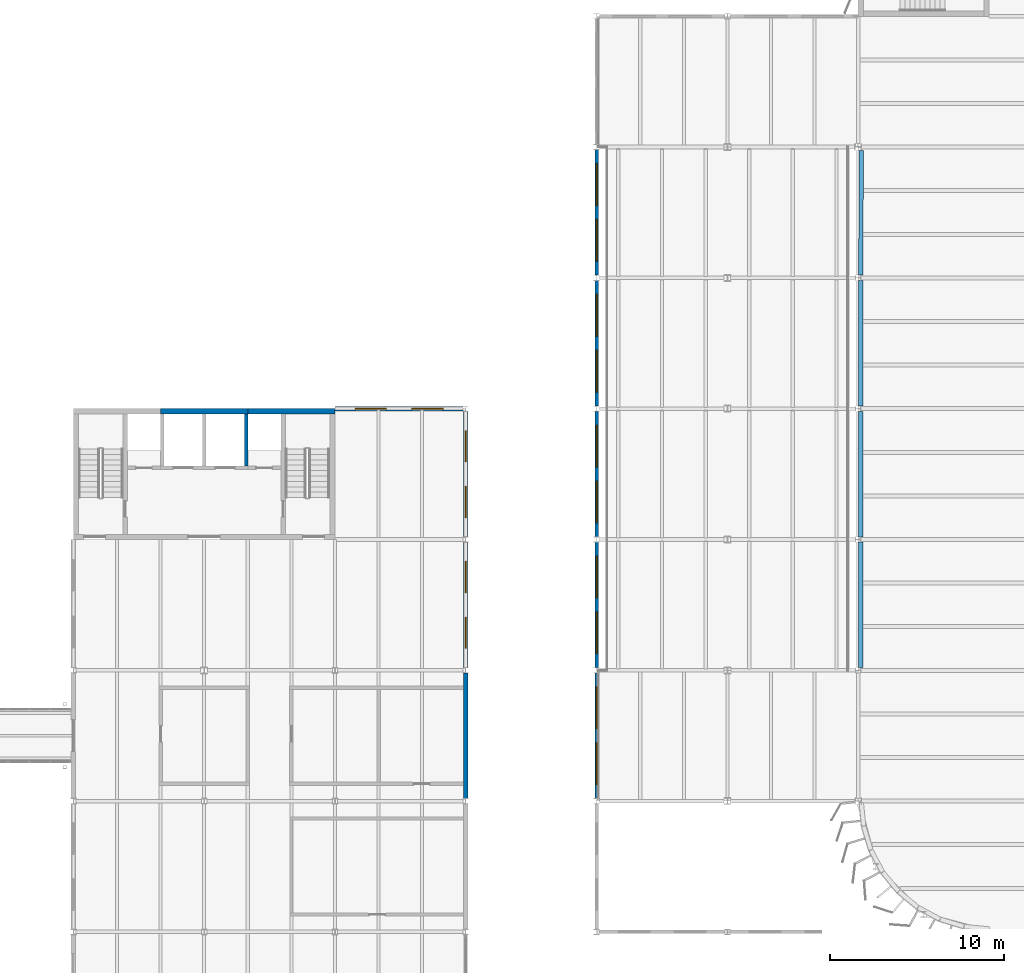
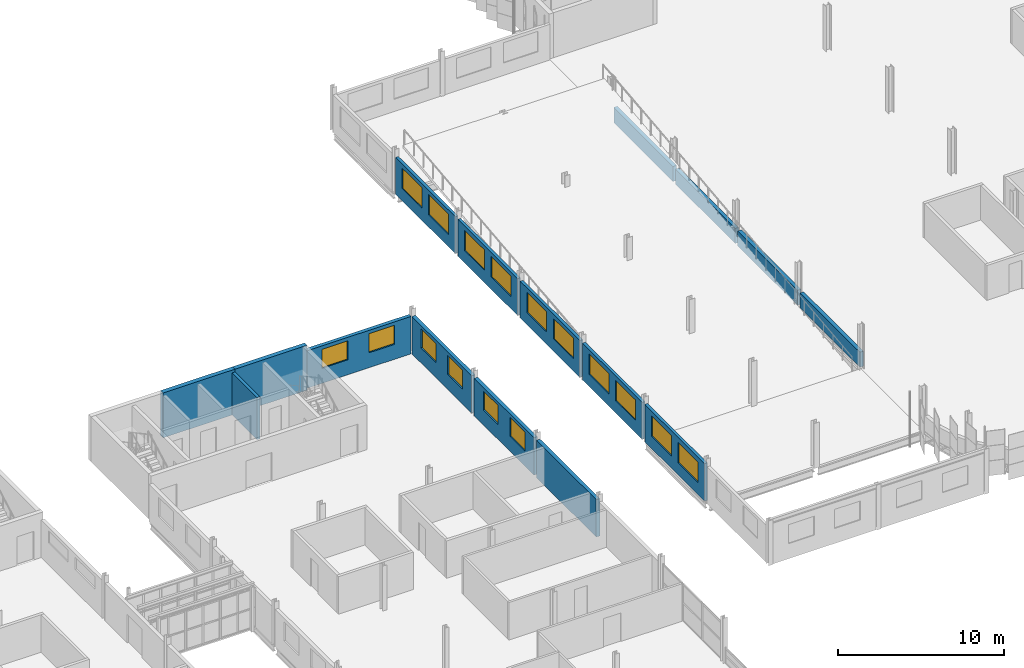
# One storey, part 74 of 214: 16 walls, 16 windows, 16 openings.
"""IFC4 building model written with IfcOpenShell, lengths in metres."""

import ifcopenshell
import ifcopenshell.guid

model = None  # the IFC model being written
_history = None  # IfcOwnerHistory: only IFC2X3 demands one
_inside = {}  # id of a spatial element -> (the spatial element, [elements in it])
_under = {}  # id of a project, library or spatial element -> (it, [spatial elements below it])
_declared = {}  # id of a project -> (the project, [libraries it declares])
_typed = {}  # id of a type object -> (the type object, [elements of that type])
_made_of = {}  # id of a material, layer set ... -> (it, [elements and type objects made of it])


def new_model(schema):
    """Start an empty IFC model of exactly this schema.

    Asked for "IFC4X3", IfcOpenShell would pick the latest addendum, in which some entities
    have other attributes; the version numbers below select the first issue.
    IFC2X3 requires an IfcOwnerHistory on every rooted entity: one is made here for all.
    """
    global model, _history
    if schema == "IFC4X3":
        model = ifcopenshell.file(schema_version=(4, 3, 0, 0))
    else:
        model = ifcopenshell.file(schema=schema)
    _inside.clear()
    _under.clear()
    _declared.clear()
    _typed.clear()
    _made_of.clear()
    _history = None
    if model.schema == "IFC2X3":
        org = make("IfcOrganization", Name="unknown")
        user = make(
            "IfcPersonAndOrganization",
            ThePerson=make("IfcPerson", FamilyName="unknown"),
            TheOrganization=org,
        )
        app = make(
            "IfcApplication",
            ApplicationDeveloper=org,
            Version="unknown",
            ApplicationFullName="unknown",
            ApplicationIdentifier="unknown",
        )
        _history = make(
            "IfcOwnerHistory",
            OwningUser=user,
            OwningApplication=app,
            ChangeAction="ADDED",
            CreationDate=0,
        )
    return model


def make(cls, **values):
    """One entity of the class cls with the attributes given. An attribute that is None is left unset."""
    return model.create_entity(
        cls, **{name: value for name, value in values.items() if value is not None}
    )


def rooted(cls, **values):
    """An entity with a GlobalId (a new one), such as an element, a storey or a relation."""
    return make(cls, GlobalId=ifcopenshell.guid.new(), OwnerHistory=_history, **values)


def si_unit(unit_type, name, prefix=None):
    """IfcSIUnit, for example si_unit("LENGTHUNIT", "METRE", prefix="MILLI")."""
    return make("IfcSIUnit", UnitType=unit_type, Prefix=prefix, Name=name)


def assignment(units):
    """IfcUnitAssignment: the units of a project."""
    return None if units is None else make("IfcUnitAssignment", Units=units)


def point(xyz):
    """IfcCartesianPoint."""
    return None if xyz is None else make("IfcCartesianPoint", Coordinates=xyz)


def direction(xyz):
    """IfcDirection."""
    return None if xyz is None else make("IfcDirection", DirectionRatios=xyz)


def frame(location, z_axis=None, x_axis=None):
    """IfcAxis2Placement3D, a coordinate frame: its origin and axes. An axis left out is left unset."""
    return make(
        "IfcAxis2Placement3D",
        Location=point(location),
        Axis=direction(z_axis),
        RefDirection=direction(x_axis),
    )


def frame_2d(location, x_axis=None):
    """IfcAxis2Placement2D, a coordinate frame in the plane: its origin and x axis."""
    return make(
        "IfcAxis2Placement2D", Location=point(location), RefDirection=direction(x_axis)
    )


def origin():
    """The frame at (0, 0, 0) with its axes left unset."""
    return frame((0.0, 0.0, 0.0))


def place(relative_to, where):
    """IfcLocalPlacement: puts the frame where relative to a parent placement (None: the world)."""
    return make(
        "IfcLocalPlacement", PlacementRelTo=relative_to, RelativePlacement=where
    )


def context(
    kind, dimensions, precision=None, world=None, true_north=None, identifier=None
):
    """IfcGeometricRepresentationContext, for example the 3D "Model" context."""
    return make(
        "IfcGeometricRepresentationContext",
        ContextIdentifier=identifier,
        ContextType=kind,
        CoordinateSpaceDimension=dimensions,
        Precision=precision,
        WorldCoordinateSystem=world,
        TrueNorth=true_north,
    )


def subcontext(parent, identifier, kind, view, scale=None):
    """IfcGeometricRepresentationSubContext, for example "Body" below "Model"."""
    return make(
        "IfcGeometricRepresentationSubContext",
        ContextIdentifier=identifier,
        ContextType=kind,
        ParentContext=parent,
        TargetScale=scale,
        TargetView=view,
    )


def project(units=None, contexts=None):
    """IfcProject with its units and contexts."""
    return rooted(
        "IfcProject",
        Name="project",
        RepresentationContexts=contexts,
        UnitsInContext=assignment(units),
    )


def spatial(cls, under=None, at=None, **own):
    """A site, building, storey or space (cls), placed at a placement, below another one or the project."""
    s = rooted(cls, ObjectPlacement=at, **own)
    if under is not None:
        _under.setdefault(under.id(), (under, []))[1].append(s)
    return s


def profile(cls, at=None, kind="AREA", **sizes):
    """A parametric profile (cls). Its sizes go by their IFC names, for example OverallWidth=200.0."""
    return make(cls, ProfileType=kind, Position=at, **sizes)


def rectangle(**sizes):
    """IfcRectangleProfileDef."""
    return profile("IfcRectangleProfileDef", **sizes)


def extrude(swept, where, along, depth):
    """IfcExtrudedAreaSolid: the profile swept, set in the frame where, extruded along a direction by depth."""
    return make(
        "IfcExtrudedAreaSolid",
        SweptArea=swept,
        Position=where,
        ExtrudedDirection=direction(along),
        Depth=depth,
    )


def shape(context_of_items, identifier, shape_type, items):
    """IfcShapeRepresentation: the items that make up one representation, for example the "Body"."""
    return make(
        "IfcShapeRepresentation",
        ContextOfItems=context_of_items,
        RepresentationIdentifier=identifier,
        RepresentationType=shape_type,
        Items=items,
    )


def material(Name=None, Category=None):
    """IfcMaterial."""
    return make("IfcMaterial", Name=Name, Category=Category)


def layer(
    of_material, thickness, ventilated=None, Name=None, Category=None, Priority=None
):
    """IfcMaterialLayer: one layer of a wall or slab, of a material (None: an air gap)."""
    return make(
        "IfcMaterialLayer",
        Material=of_material,
        LayerThickness=thickness,
        IsVentilated=ventilated,
        Name=Name,
        Category=Category,
        Priority=Priority,
    )


def layer_set(layers, Name=None):
    """IfcMaterialLayerSet."""
    return make("IfcMaterialLayerSet", MaterialLayers=layers, LayerSetName=Name)


def made_of(thing, what):
    """Note that an element or type object is made of a material, layer set ...; save() writes the relation."""
    if what is not None:
        _made_of.setdefault(what.id(), (what, []))[1].append(thing)
    return thing


def type_object(cls, material=None, **own):
    """A type object (cls), such as IfcWallType, which elements share."""
    return made_of(rooted(cls, **own), material)


def element(
    cls,
    number,
    at=None,
    inside=None,
    cuts=None,
    type_object=None,
    material=None,
    context=None,
    identifier="Body",
    shape_type=None,
    held_by="IfcProductDefinitionShape",
    body=None,
    shapes=None,
    **own,
):
    """One element of the class cls, such as IfcWall. Its Tag is "e" and its number.

    at: its placement. inside: the storey or other place that contains it. cuts: it is an
    opening in that element (IfcRelVoidsElement). A single representation is given by context,
    identifier, shape_type and body (its items); several are given by shapes. held_by: the class
    of the entity that holds the representations. save() writes the other relations.
    """
    e = rooted(cls, Tag="e%d" % number, ObjectPlacement=at, **own)
    if body is not None:
        shapes = [shape(context, identifier, shape_type, body)]
    if shapes is not None:
        e.Representation = make(held_by, Representations=shapes)
    if inside is not None:
        _inside.setdefault(inside.id(), (inside, []))[1].append(e)
    if cuts is not None:
        rooted(
            "IfcRelVoidsElement", RelatingBuildingElement=cuts, RelatedOpeningElement=e
        )
    if type_object is not None:
        _typed.setdefault(type_object.id(), (type_object, []))[1].append(e)
    return made_of(e, material)


def fill(opening, filler):
    """IfcRelFillsElement: the door or window that sits in an opening."""
    return rooted(
        "IfcRelFillsElement",
        RelatingOpeningElement=opening,
        RelatedBuildingElement=filler,
    )


def aggregate(whole, parts):
    """IfcRelAggregates: a whole, such as a stair, and the parts it consists of."""
    return rooted("IfcRelAggregates", RelatingObject=whole, RelatedObjects=parts)


def save(model, path):
    """Write the relations noted so far, then the file.

    IfcRelAggregates (storeys below a building ...), IfcRelContainedInSpatialStructure (elements
    in a storey), IfcRelDefinesByType, IfcRelAssociatesMaterial and IfcRelDeclares: one each for
    every whole, place, type object, material and project.
    """
    for whole, parts in _under.values():
        aggregate(whole, parts)
    for where, things in _inside.values():
        rooted(
            "IfcRelContainedInSpatialStructure",
            RelatedElements=things,
            RelatingStructure=where,
        )
    for kind, things in _typed.values():
        rooted("IfcRelDefinesByType", RelatedObjects=things, RelatingType=kind)
    for what, things in _made_of.values():
        rooted("IfcRelAssociatesMaterial", RelatedObjects=things, RelatingMaterial=what)
    for by, libraries in _declared.values():
        rooted("IfcRelDeclares", RelatingContext=by, RelatedDefinitions=libraries)
    model.write(path)


model = new_model("IFC4")

# Units and contexts
model_context = context("Model", 3, precision=1e-05, world=origin(), true_north=direction((0.0, 1.0)))
body_context = subcontext(model_context, "Body", "Model", "MODEL_VIEW")
ifc_project = project(units=[si_unit("LENGTHUNIT", "METRE"), si_unit("AREAUNIT", "SQUARE_METRE"), si_unit("VOLUMEUNIT", "CUBIC_METRE"), si_unit("PLANEANGLEUNIT", "RADIAN"), si_unit("MASSUNIT", "GRAM", prefix="KILO")], contexts=[model_context])

# Site, building, storey
site_placement = place(None, origin())
site = spatial("IfcSite", under=ifc_project, at=site_placement, CompositionType="ELEMENT")
building_placement = place(site_placement, origin())
building = spatial("IfcBuilding", under=site, at=building_placement, Name="Parallax Yard Mobility Hub", CompositionType="ELEMENT")
storey_placement = place(building_placement, frame((0.0, 0.0, 3.300048828125)))
storey = spatial("IfcBuildingStorey", under=building, at=storey_placement, Name="L01", CompositionType="ELEMENT", Elevation=3.300048828125)

# Walls
ifc_material_1 = material(Name="Concrete fc' 35 MPa", Category="concrete")
ifc_layer_1 = layer(ifc_material_1, 0.300048828125)
ifc_layer_set_1 = layer_set([ifc_layer_1], Name="Concrete fc' 35 MPa core wall 300")
wall_type_1 = type_object("IfcWallType", Name="Concrete fc' 35 MPa core wall 300", PredefinedType="SHEAR", material=ifc_layer_set_1)
for number, where, z_axis, x_axis, name in (
    (1, (155.0, 52.35009765625, 0.0), (0.0, 0.0, 1.0), (1.0, 0.0, 0.0), "Core C5 back wall part 2 level L01"),
    (2, (160.0, 52.35009765625, 0.0), (0.0, 0.0, 1.0), (1.0, 0.0, 0.0), "Core C5 back wall part 3 level L01"),
):
    element("IfcWall", number, at=place(storey_placement, frame(where, z_axis=z_axis, x_axis=x_axis)), inside=storey, type_object=wall_type_1, Name=name, PredefinedType="SHEAR", context=body_context, shape_type="SweptSolid", body=[
        extrude(rectangle(XDim=5.0, YDim=0.300048828125, at=frame_2d((2.5, 0.0))), origin(), (0.0, 0.0, 1.0), 3.300048828125),
    ])
ifc_layer_2 = layer(ifc_material_1, 0.199951171875)
ifc_layer_set_2 = layer_set([ifc_layer_2], Name="Concrete fc' 35 MPa internal core wall 200")
wall_type_2 = type_object("IfcWallType", Name="Concrete fc' 35 MPa internal core wall 200", PredefinedType="STANDARD", material=ifc_layer_set_2)
wall_1_placement = place(storey_placement, frame((159.89990234375, 49.199951171875, 0.0), z_axis=(0.0, 0.0, 1.0), x_axis=(0.0, 1.0, 0.0)))
element("IfcWall", 3, at=wall_1_placement, inside=storey, type_object=wall_type_2, Name="Core C5 lift wall 3 part 3 level L01", PredefinedType="STANDARD", context=body_context, shape_type="SweptSolid", body=[
    extrude(rectangle(XDim=3.0, YDim=0.199951171875, at=frame_2d((1.5, 0.0))), origin(), (0.0, 0.0, 1.0), 3.099853515625),
])
ifc_layer_3 = layer(ifc_material_1, 0.25)
ifc_layer_set_3 = layer_set([ifc_layer_3], Name="Deck-edge barrier wall, Concrete fc' 35 MPa precast, 250")
wall_type_3 = type_object("IfcWallType", Name="Deck-edge barrier wall, Concrete fc' 35 MPa precast, 250", PredefinedType="SOLIDWALL", material=ifc_layer_set_3)
wall_2_placement = place(storey_placement, frame((195.17333984375, 67.314453125, 0.0), z_axis=(0.0, 0.0, 1.0), x_axis=(-0.003612914829, -0.999993473402, 0.0)))
element("IfcWall", 4, at=wall_2_placement, inside=storey, type_object=wall_type_3, Name="Deck-edge barrier wall bay 25 level L01", PredefinedType="SOLIDWALL", context=body_context, shape_type="SweptSolid", body=[
    extrude(rectangle(XDim=7.162841796875, YDim=0.25, at=frame_2d((3.58154296875, 0.0))), origin(), (0.0, 0.0, 1.0), 1.099853515625),
])
for number, where, z_axis, x_axis, name in (
    (5, (195.1474609375, 59.848388671875, 0.0), (0.0, 0.0, 1.0), (0.0, -1.0, 0.0), "Deck-edge barrier wall bay 26 level L01"),
    (6, (195.1474609375, 52.348388671875, 0.0), (0.0, 0.0, 1.0), (0.0, -1.0, 0.0), "Deck-edge barrier wall bay 27 level L01"),
    (7, (195.1474609375, 44.848388671875, 0.0), (0.0, 0.0, 1.0), (0.0, -1.0, 0.0), "Deck-edge barrier wall bay 28 level L01"),
):
    element("IfcWall", number, at=place(storey_placement, frame(where, z_axis=z_axis, x_axis=x_axis)), inside=storey, type_object=wall_type_3, Name=name, PredefinedType="SOLIDWALL", context=body_context, shape_type="SweptSolid", body=[
        extrude(rectangle(XDim=7.19677734375, YDim=0.25, at=frame_2d((3.598388671875, 0.0))), origin(), (0.0, 0.0, 1.0), 1.099853515625),
    ])
ifc_layer_4 = layer(ifc_material_1, 0.25)
ifc_layer_set_4 = layer_set([ifc_layer_4], Name="Exterior wall, Concrete fc' 35 MPa precast, 250 with insulation lining")
wall_type_4 = type_object("IfcWallType", Name="Exterior wall, Concrete fc' 35 MPa precast, 250 with insulation lining", PredefinedType="SOLIDWALL", material=ifc_layer_set_4)
wall_3_placement = place(storey_placement, frame((172.5, 30.153564453125, 0.0), z_axis=(0.0, 0.0, 1.0), x_axis=(0.0, 1.0, 0.0)))
element("IfcWall", 8, at=wall_3_placement, inside=storey, type_object=wall_type_4, Name="Bicycle and shared-mobility hall east wall bay 4 level L01", PredefinedType="SOLIDWALL", context=body_context, shape_type="SweptSolid", body=[
    extrude(rectangle(XDim=7.19287109375, YDim=0.25, at=frame_2d((3.596435546875, 0.0))), origin(), (0.0, 0.0, 1.0), 2.7509765625),
])

# Wall, openings, windows
wall_4_placement = place(storey_placement, frame((172.5, 37.653564453125, 0.0), z_axis=(0.0, 0.0, 1.0), x_axis=(0.0, 1.0, 0.0)))
wall_4 = element("IfcWall", 9, at=wall_4_placement, inside=storey, type_object=wall_type_4, Name="Bicycle and shared-mobility hall east wall bay 5 level L01", PredefinedType="SOLIDWALL", context=body_context, shape_type="SweptSolid", body=[
    extrude(rectangle(XDim=7.19287109375, YDim=0.25, at=frame_2d((3.596435546875, 0.0))), origin(), (0.0, 0.0, 1.0), 2.7509765625),
])
opening_1_placement = place(wall_4_placement, frame((1.09765625, 0.0, 1.10009765625)))
opening_1 = element("IfcOpeningElement", 10, at=opening_1_placement, cuts=wall_4, Name="Opening LV2", PredefinedType="OPENING", context=body_context, shape_type="SweptSolid", body=[
    extrude(rectangle(XDim=1.800048828125, YDim=1.39990234375, at=frame_2d((0.89990234375, 0.699951171875))), frame((0.0, 0.135009765625, 0.0), z_axis=(0.0, -1.0, 0.0), x_axis=(1.0, 0.0, 0.0)), (0.0, 0.0, 1.0), 0.27001953125),
])
opening_2_placement = place(wall_4_placement, frame((4.29541015625, 0.0, 1.10009765625)))
opening_2 = element("IfcOpeningElement", 11, at=opening_2_placement, cuts=wall_4, Name="Opening LV2", PredefinedType="OPENING", context=body_context, shape_type="SweptSolid", body=[
    extrude(rectangle(XDim=1.800048828125, YDim=1.39990234375, at=frame_2d((0.89990234375, 0.699951171875))), frame((0.0, 0.135009765625, 0.0), z_axis=(0.0, -1.0, 0.0), x_axis=(1.0, 0.0, 0.0)), (0.0, 0.0, 1.0), 0.27001953125),
])
ifc_material_2 = material(Name="Extruded aluminium storm louvre blades in a powder-coated frame", Category="aluminium")
window_type_1 = type_object("IfcWindowType", Name="Screen louvre 1800 x 1400", PartitioningType="SINGLE_PANEL", PredefinedType="WINDOW", material=ifc_material_2)
window_1_placement = place(opening_1_placement, origin())
window_1 = element("IfcWindow", 12, at=window_1_placement, inside=storey, type_object=window_type_1, Name="LV2 louvre level L01", OverallHeight=1.39990234375, OverallWidth=1.800048828125, PartitioningType="SINGLE_PANEL", PredefinedType="WINDOW", context=body_context, shape_type="SweptSolid", body=[
    extrude(rectangle(XDim=1.800048828125, YDim=1.39990234375, at=frame_2d((0.89990234375, 0.699951171875))), frame((0.0, 0.030029296875, 0.0), z_axis=(0.0, -1.0, 0.0), x_axis=(1.0, 0.0, 0.0)), (0.0, 0.0, 1.0), 0.06005859375),
])
fill(opening_1, window_1)
window_2_placement = place(opening_2_placement, origin())
window_2 = element("IfcWindow", 13, at=window_2_placement, inside=storey, type_object=window_type_1, Name="LV2 louvre level L01", OverallHeight=1.39990234375, OverallWidth=1.800048828125, PartitioningType="SINGLE_PANEL", PredefinedType="WINDOW", context=body_context, shape_type="SweptSolid", body=[
    extrude(rectangle(XDim=1.800048828125, YDim=1.39990234375, at=frame_2d((0.89990234375, 0.699951171875))), frame((0.0, 0.030029296875, 0.0), z_axis=(0.0, -1.0, 0.0), x_axis=(1.0, 0.0, 0.0)), (0.0, 0.0, 1.0), 0.06005859375),
])
fill(opening_2, window_2)

wall_5_placement = place(storey_placement, frame((172.5, 45.153564453125, 0.0), z_axis=(0.0, 0.0, 1.0), x_axis=(0.0, 1.0, 0.0)))
wall_5 = element("IfcWall", 14, at=wall_5_placement, inside=storey, type_object=wall_type_4, Name="Bicycle and shared-mobility hall east wall bay 6 level L01", PredefinedType="SOLIDWALL", context=body_context, shape_type="SweptSolid", body=[
    extrude(rectangle(XDim=7.19287109375, YDim=0.25, at=frame_2d((3.596435546875, 0.0))), origin(), (0.0, 0.0, 1.0), 2.7509765625),
])
opening_3_placement = place(wall_5_placement, frame((1.09765625, 0.0, 1.10009765625)))
opening_3 = element("IfcOpeningElement", 15, at=opening_3_placement, cuts=wall_5, Name="Opening LV2", PredefinedType="OPENING", context=body_context, shape_type="SweptSolid", body=[
    extrude(rectangle(XDim=1.800048828125, YDim=1.39990234375, at=frame_2d((0.89990234375, 0.699951171875))), frame((0.0, 0.135009765625, 0.0), z_axis=(0.0, -1.0, 0.0), x_axis=(1.0, 0.0, 0.0)), (0.0, 0.0, 1.0), 0.27001953125),
])
opening_4_placement = place(wall_5_placement, frame((4.29541015625, 0.0, 1.10009765625)))
opening_4 = element("IfcOpeningElement", 16, at=opening_4_placement, cuts=wall_5, Name="Opening LV2", PredefinedType="OPENING", context=body_context, shape_type="SweptSolid", body=[
    extrude(rectangle(XDim=1.800048828125, YDim=1.39990234375, at=frame_2d((0.89990234375, 0.699951171875))), frame((0.0, 0.135009765625, 0.0), z_axis=(0.0, -1.0, 0.0), x_axis=(1.0, 0.0, 0.0)), (0.0, 0.0, 1.0), 0.27001953125),
])
window_3_placement = place(opening_3_placement, origin())
window_3 = element("IfcWindow", 17, at=window_3_placement, inside=storey, type_object=window_type_1, Name="LV2 louvre level L01", OverallHeight=1.39990234375, OverallWidth=1.800048828125, PartitioningType="SINGLE_PANEL", PredefinedType="WINDOW", context=body_context, shape_type="SweptSolid", body=[
    extrude(rectangle(XDim=1.800048828125, YDim=1.39990234375, at=frame_2d((0.89990234375, 0.699951171875))), frame((0.0, 0.030029296875, 0.0), z_axis=(0.0, -1.0, 0.0), x_axis=(1.0, 0.0, 0.0)), (0.0, 0.0, 1.0), 0.06005859375),
])
fill(opening_3, window_3)
window_4_placement = place(opening_4_placement, origin())
window_4 = element("IfcWindow", 18, at=window_4_placement, inside=storey, type_object=window_type_1, Name="LV2 louvre level L01", OverallHeight=1.39990234375, OverallWidth=1.800048828125, PartitioningType="SINGLE_PANEL", PredefinedType="WINDOW", context=body_context, shape_type="SweptSolid", body=[
    extrude(rectangle(XDim=1.800048828125, YDim=1.39990234375, at=frame_2d((0.89990234375, 0.699951171875))), frame((0.0, 0.030029296875, 0.0), z_axis=(0.0, -1.0, 0.0), x_axis=(1.0, 0.0, 0.0)), (0.0, 0.0, 1.0), 0.06005859375),
])
fill(opening_4, window_4)

wall_6_placement = place(storey_placement, frame((165.0, 52.5, 0.0), z_axis=(0.0, 0.0, 1.0), x_axis=(1.0, 0.0, 0.0)))
wall_6 = element("IfcWall", 19, at=wall_6_placement, inside=storey, type_object=wall_type_4, Name="Bicycle and shared-mobility hall north wall bay 1 level L01", PredefinedType="SOLIDWALL", context=body_context, shape_type="SweptSolid", body=[
    extrude(rectangle(XDim=7.346435546875, YDim=0.25, at=frame_2d((3.67333984375, 0.0))), origin(), (0.0, 0.0, 1.0), 2.7509765625),
])
opening_5_placement = place(wall_6_placement, frame((1.148681640625, 0.0, 1.10009765625)))
opening_5 = element("IfcOpeningElement", 20, at=opening_5_placement, cuts=wall_6, Name="Opening LV2", PredefinedType="OPENING", context=body_context, shape_type="SweptSolid", body=[
    extrude(rectangle(XDim=1.800048828125, YDim=1.39990234375, at=frame_2d((0.89990234375, 0.699951171875))), frame((0.0, 0.135009765625, 0.0), z_axis=(0.0, -1.0, 0.0), x_axis=(1.0, 0.0, 0.0)), (0.0, 0.0, 1.0), 0.27001953125),
])
opening_6_placement = place(wall_6_placement, frame((4.397705078125, 0.0, 1.10009765625)))
opening_6 = element("IfcOpeningElement", 21, at=opening_6_placement, cuts=wall_6, Name="Opening LV2", PredefinedType="OPENING", context=body_context, shape_type="SweptSolid", body=[
    extrude(rectangle(XDim=1.800048828125, YDim=1.39990234375, at=frame_2d((0.89990234375, 0.699951171875))), frame((0.0, 0.135009765625, 0.0), z_axis=(0.0, -1.0, 0.0), x_axis=(1.0, 0.0, 0.0)), (0.0, 0.0, 1.0), 0.27001953125),
])
window_5_placement = place(opening_5_placement, origin())
window_5 = element("IfcWindow", 22, at=window_5_placement, inside=storey, type_object=window_type_1, Name="LV2 louvre level L01", OverallHeight=1.39990234375, OverallWidth=1.800048828125, PartitioningType="SINGLE_PANEL", PredefinedType="WINDOW", context=body_context, shape_type="SweptSolid", body=[
    extrude(rectangle(XDim=1.800048828125, YDim=1.39990234375, at=frame_2d((0.89990234375, 0.699951171875))), frame((0.0, 0.030029296875, 0.0), z_axis=(0.0, -1.0, 0.0), x_axis=(1.0, 0.0, 0.0)), (0.0, 0.0, 1.0), 0.06005859375),
])
fill(opening_5, window_5)
window_6_placement = place(opening_6_placement, origin())
window_6 = element("IfcWindow", 23, at=window_6_placement, inside=storey, type_object=window_type_1, Name="LV2 louvre level L01", OverallHeight=1.39990234375, OverallWidth=1.800048828125, PartitioningType="SINGLE_PANEL", PredefinedType="WINDOW", context=body_context, shape_type="SweptSolid", body=[
    extrude(rectangle(XDim=1.800048828125, YDim=1.39990234375, at=frame_2d((0.89990234375, 0.699951171875))), frame((0.0, 0.030029296875, 0.0), z_axis=(0.0, -1.0, 0.0), x_axis=(1.0, 0.0, 0.0)), (0.0, 0.0, 1.0), 0.06005859375),
])
fill(opening_6, window_6)

ifc_layer_5 = layer(ifc_material_1, 0.199951171875)
ifc_layer_set_5 = layer_set([ifc_layer_5], Name="Louvre screen wall, Concrete fc' 35 MPa precast, 200")
wall_type_5 = type_object("IfcWallType", Name="Louvre screen wall, Concrete fc' 35 MPa precast, 200", PredefinedType="SOLIDWALL", material=ifc_layer_set_5)
wall_7_placement = place(storey_placement, frame((180.0, 30.153564453125, 0.0), z_axis=(0.0, 0.0, 1.0), x_axis=(0.0, 1.0, 0.0)))
wall_7 = element("IfcWall", 24, at=wall_7_placement, inside=storey, type_object=wall_type_5, Name="Ramp house west wall bay 2 level L01", PredefinedType="SOLIDWALL", context=body_context, shape_type="SweptSolid", body=[
    extrude(rectangle(XDim=7.19287109375, YDim=0.199951171875, at=frame_2d((3.596435546875, 0.0))), origin(), (0.0, 0.0, 1.0), 2.75390625),
])
opening_7_placement = place(wall_7_placement, frame((0.797607421875, 0.0, 0.89990234375)))
opening_7 = element("IfcOpeningElement", 25, at=opening_7_placement, cuts=wall_7, Name="Opening W1", PredefinedType="OPENING", context=body_context, shape_type="SweptSolid", body=[
    extrude(rectangle(XDim=2.39990234375, YDim=1.5, at=frame_2d((1.199951171875, 0.75))), frame((0.0, 0.10986328125, 0.0), z_axis=(0.0, -1.0, 0.0), x_axis=(1.0, 0.0, 0.0)), (0.0, 0.0, 1.0), 0.219970703125),
])
opening_8_placement = place(wall_7_placement, frame((3.995361328125, 0.0, 0.89990234375)))
opening_8 = element("IfcOpeningElement", 26, at=opening_8_placement, cuts=wall_7, Name="Opening W1", PredefinedType="OPENING", context=body_context, shape_type="SweptSolid", body=[
    extrude(rectangle(XDim=2.39990234375, YDim=1.5, at=frame_2d((1.199951171875, 0.75))), frame((0.0, 0.10986328125, 0.0), z_axis=(0.0, -1.0, 0.0), x_axis=(1.0, 0.0, 0.0)), (0.0, 0.0, 1.0), 0.219970703125),
])
ifc_material_3 = material(Name="Double glazed low-E unit in thermally broken aluminium frame", Category="aluminium")
window_type_2 = type_object("IfcWindowType", Name="Window 2400 x 1500", PartitioningType="DOUBLE_PANEL_VERTICAL", PredefinedType="WINDOW", material=ifc_material_3)
window_7_placement = place(opening_7_placement, origin())
window_7 = element("IfcWindow", 27, at=window_7_placement, inside=storey, type_object=window_type_2, Name="Window W1 level L01", OverallHeight=1.5, OverallWidth=2.39990234375, PartitioningType="DOUBLE_PANEL_VERTICAL", PredefinedType="WINDOW", context=body_context, shape_type="SweptSolid", body=[
    extrude(rectangle(XDim=2.39990234375, YDim=1.5, at=frame_2d((1.199951171875, 0.75))), frame((0.0, 0.030029296875, 0.0), z_axis=(0.0, -1.0, 0.0), x_axis=(1.0, 0.0, 0.0)), (0.0, 0.0, 1.0), 0.06005859375),
])
fill(opening_7, window_7)
window_8_placement = place(opening_8_placement, origin())
window_8 = element("IfcWindow", 28, at=window_8_placement, inside=storey, type_object=window_type_2, Name="Window W1 level L01", OverallHeight=1.5, OverallWidth=2.39990234375, PartitioningType="DOUBLE_PANEL_VERTICAL", PredefinedType="WINDOW", context=body_context, shape_type="SweptSolid", body=[
    extrude(rectangle(XDim=2.39990234375, YDim=1.5, at=frame_2d((1.199951171875, 0.75))), frame((0.0, 0.030029296875, 0.0), z_axis=(0.0, -1.0, 0.0), x_axis=(1.0, 0.0, 0.0)), (0.0, 0.0, 1.0), 0.06005859375),
])
fill(opening_8, window_8)

wall_8_placement = place(storey_placement, frame((180.0, 37.653564453125, 0.0), z_axis=(0.0, 0.0, 1.0), x_axis=(0.0, 1.0, 0.0)))
wall_8 = element("IfcWall", 29, at=wall_8_placement, inside=storey, type_object=wall_type_5, Name="Ramp house west wall bay 3 level L01", PredefinedType="SOLIDWALL", context=body_context, shape_type="SweptSolid", body=[
    extrude(rectangle(XDim=7.19287109375, YDim=0.199951171875, at=frame_2d((3.596435546875, 0.0))), origin(), (0.0, 0.0, 1.0), 2.7099609375),
])
opening_9_placement = place(wall_8_placement, frame((0.797607421875, 0.0, 0.89990234375)))
opening_9 = element("IfcOpeningElement", 30, at=opening_9_placement, cuts=wall_8, Name="Opening W1", PredefinedType="OPENING", context=body_context, shape_type="SweptSolid", body=[
    extrude(rectangle(XDim=2.39990234375, YDim=1.5, at=frame_2d((1.199951171875, 0.75))), frame((0.0, 0.10986328125, 0.0), z_axis=(0.0, -1.0, 0.0), x_axis=(1.0, 0.0, 0.0)), (0.0, 0.0, 1.0), 0.219970703125),
])
opening_10_placement = place(wall_8_placement, frame((3.995361328125, 0.0, 0.89990234375)))
opening_10 = element("IfcOpeningElement", 31, at=opening_10_placement, cuts=wall_8, Name="Opening W1", PredefinedType="OPENING", context=body_context, shape_type="SweptSolid", body=[
    extrude(rectangle(XDim=2.39990234375, YDim=1.5, at=frame_2d((1.199951171875, 0.75))), frame((0.0, 0.10986328125, 0.0), z_axis=(0.0, -1.0, 0.0), x_axis=(1.0, 0.0, 0.0)), (0.0, 0.0, 1.0), 0.219970703125),
])
window_9_placement = place(opening_9_placement, origin())
window_9 = element("IfcWindow", 32, at=window_9_placement, inside=storey, type_object=window_type_2, Name="Window W1 level L01", OverallHeight=1.5, OverallWidth=2.39990234375, PartitioningType="DOUBLE_PANEL_VERTICAL", PredefinedType="WINDOW", context=body_context, shape_type="SweptSolid", body=[
    extrude(rectangle(XDim=2.39990234375, YDim=1.5, at=frame_2d((1.199951171875, 0.75))), frame((0.0, 0.030029296875, 0.0), z_axis=(0.0, -1.0, 0.0), x_axis=(1.0, 0.0, 0.0)), (0.0, 0.0, 1.0), 0.06005859375),
])
fill(opening_9, window_9)
window_10_placement = place(opening_10_placement, origin())
window_10 = element("IfcWindow", 33, at=window_10_placement, inside=storey, type_object=window_type_2, Name="Window W1 level L01", OverallHeight=1.5, OverallWidth=2.39990234375, PartitioningType="DOUBLE_PANEL_VERTICAL", PredefinedType="WINDOW", context=body_context, shape_type="SweptSolid", body=[
    extrude(rectangle(XDim=2.39990234375, YDim=1.5, at=frame_2d((1.199951171875, 0.75))), frame((0.0, 0.030029296875, 0.0), z_axis=(0.0, -1.0, 0.0), x_axis=(1.0, 0.0, 0.0)), (0.0, 0.0, 1.0), 0.06005859375),
])
fill(opening_10, window_10)

wall_9_placement = place(storey_placement, frame((180.0, 45.153564453125, 0.0), z_axis=(0.0, 0.0, 1.0), x_axis=(0.0, 1.0, 0.0)))
wall_9 = element("IfcWall", 34, at=wall_9_placement, inside=storey, type_object=wall_type_5, Name="Ramp house west wall bay 4 level L01", PredefinedType="SOLIDWALL", context=body_context, shape_type="SweptSolid", body=[
    extrude(rectangle(XDim=7.19287109375, YDim=0.199951171875, at=frame_2d((3.596435546875, 0.0))), origin(), (0.0, 0.0, 1.0), 2.7099609375),
])
opening_11_placement = place(wall_9_placement, frame((0.797607421875, 0.0, 0.89990234375)))
opening_11 = element("IfcOpeningElement", 35, at=opening_11_placement, cuts=wall_9, Name="Opening W1", PredefinedType="OPENING", context=body_context, shape_type="SweptSolid", body=[
    extrude(rectangle(XDim=2.39990234375, YDim=1.5, at=frame_2d((1.199951171875, 0.75))), frame((0.0, 0.10986328125, 0.0), z_axis=(0.0, -1.0, 0.0), x_axis=(1.0, 0.0, 0.0)), (0.0, 0.0, 1.0), 0.219970703125),
])
opening_12_placement = place(wall_9_placement, frame((3.995361328125, 0.0, 0.89990234375)))
opening_12 = element("IfcOpeningElement", 36, at=opening_12_placement, cuts=wall_9, Name="Opening W1", PredefinedType="OPENING", context=body_context, shape_type="SweptSolid", body=[
    extrude(rectangle(XDim=2.39990234375, YDim=1.5, at=frame_2d((1.199951171875, 0.75))), frame((0.0, 0.10986328125, 0.0), z_axis=(0.0, -1.0, 0.0), x_axis=(1.0, 0.0, 0.0)), (0.0, 0.0, 1.0), 0.219970703125),
])
window_11_placement = place(opening_11_placement, origin())
window_11 = element("IfcWindow", 37, at=window_11_placement, inside=storey, type_object=window_type_2, Name="Window W1 level L01", OverallHeight=1.5, OverallWidth=2.39990234375, PartitioningType="DOUBLE_PANEL_VERTICAL", PredefinedType="WINDOW", context=body_context, shape_type="SweptSolid", body=[
    extrude(rectangle(XDim=2.39990234375, YDim=1.5, at=frame_2d((1.199951171875, 0.75))), frame((0.0, 0.030029296875, 0.0), z_axis=(0.0, -1.0, 0.0), x_axis=(1.0, 0.0, 0.0)), (0.0, 0.0, 1.0), 0.06005859375),
])
fill(opening_11, window_11)
window_12_placement = place(opening_12_placement, origin())
window_12 = element("IfcWindow", 38, at=window_12_placement, inside=storey, type_object=window_type_2, Name="Window W1 level L01", OverallHeight=1.5, OverallWidth=2.39990234375, PartitioningType="DOUBLE_PANEL_VERTICAL", PredefinedType="WINDOW", context=body_context, shape_type="SweptSolid", body=[
    extrude(rectangle(XDim=2.39990234375, YDim=1.5, at=frame_2d((1.199951171875, 0.75))), frame((0.0, 0.030029296875, 0.0), z_axis=(0.0, -1.0, 0.0), x_axis=(1.0, 0.0, 0.0)), (0.0, 0.0, 1.0), 0.06005859375),
])
fill(opening_12, window_12)

wall_10_placement = place(storey_placement, frame((180.0, 52.653564453125, 0.0), z_axis=(0.0, 0.0, 1.0), x_axis=(0.0, 1.0, 0.0)))
wall_10 = element("IfcWall", 39, at=wall_10_placement, inside=storey, type_object=wall_type_5, Name="Ramp house west wall bay 5 level L01", PredefinedType="SOLIDWALL", context=body_context, shape_type="SweptSolid", body=[
    extrude(rectangle(XDim=7.19287109375, YDim=0.199951171875, at=frame_2d((3.596435546875, 0.0))), origin(), (0.0, 0.0, 1.0), 2.7099609375),
])
opening_13_placement = place(wall_10_placement, frame((0.797607421875, 0.0, 0.89990234375)))
opening_13 = element("IfcOpeningElement", 40, at=opening_13_placement, cuts=wall_10, Name="Opening W1", PredefinedType="OPENING", context=body_context, shape_type="SweptSolid", body=[
    extrude(rectangle(XDim=2.39990234375, YDim=1.5, at=frame_2d((1.199951171875, 0.75))), frame((0.0, 0.10986328125, 0.0), z_axis=(0.0, -1.0, 0.0), x_axis=(1.0, 0.0, 0.0)), (0.0, 0.0, 1.0), 0.219970703125),
])
opening_14_placement = place(wall_10_placement, frame((3.995361328125, 0.0, 0.89990234375)))
opening_14 = element("IfcOpeningElement", 41, at=opening_14_placement, cuts=wall_10, Name="Opening W1", PredefinedType="OPENING", context=body_context, shape_type="SweptSolid", body=[
    extrude(rectangle(XDim=2.39990234375, YDim=1.5, at=frame_2d((1.199951171875, 0.75))), frame((0.0, 0.10986328125, 0.0), z_axis=(0.0, -1.0, 0.0), x_axis=(1.0, 0.0, 0.0)), (0.0, 0.0, 1.0), 0.219970703125),
])
window_13_placement = place(opening_13_placement, origin())
window_13 = element("IfcWindow", 42, at=window_13_placement, inside=storey, type_object=window_type_2, Name="Window W1 level L01", OverallHeight=1.5, OverallWidth=2.39990234375, PartitioningType="DOUBLE_PANEL_VERTICAL", PredefinedType="WINDOW", context=body_context, shape_type="SweptSolid", body=[
    extrude(rectangle(XDim=2.39990234375, YDim=1.5, at=frame_2d((1.199951171875, 0.75))), frame((0.0, 0.030029296875, 0.0), z_axis=(0.0, -1.0, 0.0), x_axis=(1.0, 0.0, 0.0)), (0.0, 0.0, 1.0), 0.06005859375),
])
fill(opening_13, window_13)
window_14_placement = place(opening_14_placement, origin())
window_14 = element("IfcWindow", 43, at=window_14_placement, inside=storey, type_object=window_type_2, Name="Window W1 level L01", OverallHeight=1.5, OverallWidth=2.39990234375, PartitioningType="DOUBLE_PANEL_VERTICAL", PredefinedType="WINDOW", context=body_context, shape_type="SweptSolid", body=[
    extrude(rectangle(XDim=2.39990234375, YDim=1.5, at=frame_2d((1.199951171875, 0.75))), frame((0.0, 0.030029296875, 0.0), z_axis=(0.0, -1.0, 0.0), x_axis=(1.0, 0.0, 0.0)), (0.0, 0.0, 1.0), 0.06005859375),
])
fill(opening_14, window_14)

wall_11_placement = place(storey_placement, frame((180.0, 60.153564453125, 0.0), z_axis=(0.0, 0.0, 1.0), x_axis=(0.0, 1.0, 0.0)))
wall_11 = element("IfcWall", 44, at=wall_11_placement, inside=storey, type_object=wall_type_5, Name="Ramp house west wall bay 6 level L01", PredefinedType="SOLIDWALL", context=body_context, shape_type="SweptSolid", body=[
    extrude(rectangle(XDim=7.19287109375, YDim=0.199951171875, at=frame_2d((3.596435546875, 0.0))), origin(), (0.0, 0.0, 1.0), 2.7099609375),
])
opening_15_placement = place(wall_11_placement, frame((0.797607421875, 0.0, 0.89990234375)))
opening_15 = element("IfcOpeningElement", 45, at=opening_15_placement, cuts=wall_11, Name="Opening W1", PredefinedType="OPENING", context=body_context, shape_type="SweptSolid", body=[
    extrude(rectangle(XDim=2.39990234375, YDim=1.5, at=frame_2d((1.199951171875, 0.75))), frame((0.0, 0.10986328125, 0.0), z_axis=(0.0, -1.0, 0.0), x_axis=(1.0, 0.0, 0.0)), (0.0, 0.0, 1.0), 0.219970703125),
])
opening_16_placement = place(wall_11_placement, frame((3.995361328125, 0.0, 0.89990234375)))
opening_16 = element("IfcOpeningElement", 46, at=opening_16_placement, cuts=wall_11, Name="Opening W1", PredefinedType="OPENING", context=body_context, shape_type="SweptSolid", body=[
    extrude(rectangle(XDim=2.39990234375, YDim=1.5, at=frame_2d((1.199951171875, 0.75))), frame((0.0, 0.10986328125, 0.0), z_axis=(0.0, -1.0, 0.0), x_axis=(1.0, 0.0, 0.0)), (0.0, 0.0, 1.0), 0.219970703125),
])
window_15_placement = place(opening_15_placement, origin())
window_15 = element("IfcWindow", 47, at=window_15_placement, inside=storey, type_object=window_type_2, Name="Window W1 level L01", OverallHeight=1.5, OverallWidth=2.39990234375, PartitioningType="DOUBLE_PANEL_VERTICAL", PredefinedType="WINDOW", context=body_context, shape_type="SweptSolid", body=[
    extrude(rectangle(XDim=2.39990234375, YDim=1.5, at=frame_2d((1.199951171875, 0.75))), frame((0.0, 0.030029296875, 0.0), z_axis=(0.0, -1.0, 0.0), x_axis=(1.0, 0.0, 0.0)), (0.0, 0.0, 1.0), 0.06005859375),
])
fill(opening_15, window_15)
window_16_placement = place(opening_16_placement, origin())
window_16 = element("IfcWindow", 48, at=window_16_placement, inside=storey, type_object=window_type_2, Name="Window W1 level L01", OverallHeight=1.5, OverallWidth=2.39990234375, PartitioningType="DOUBLE_PANEL_VERTICAL", PredefinedType="WINDOW", context=body_context, shape_type="SweptSolid", body=[
    extrude(rectangle(XDim=2.39990234375, YDim=1.5, at=frame_2d((1.199951171875, 0.75))), frame((0.0, 0.030029296875, 0.0), z_axis=(0.0, -1.0, 0.0), x_axis=(1.0, 0.0, 0.0)), (0.0, 0.0, 1.0), 0.06005859375),
])
fill(opening_16, window_16)

save(model, "model.ifc")
